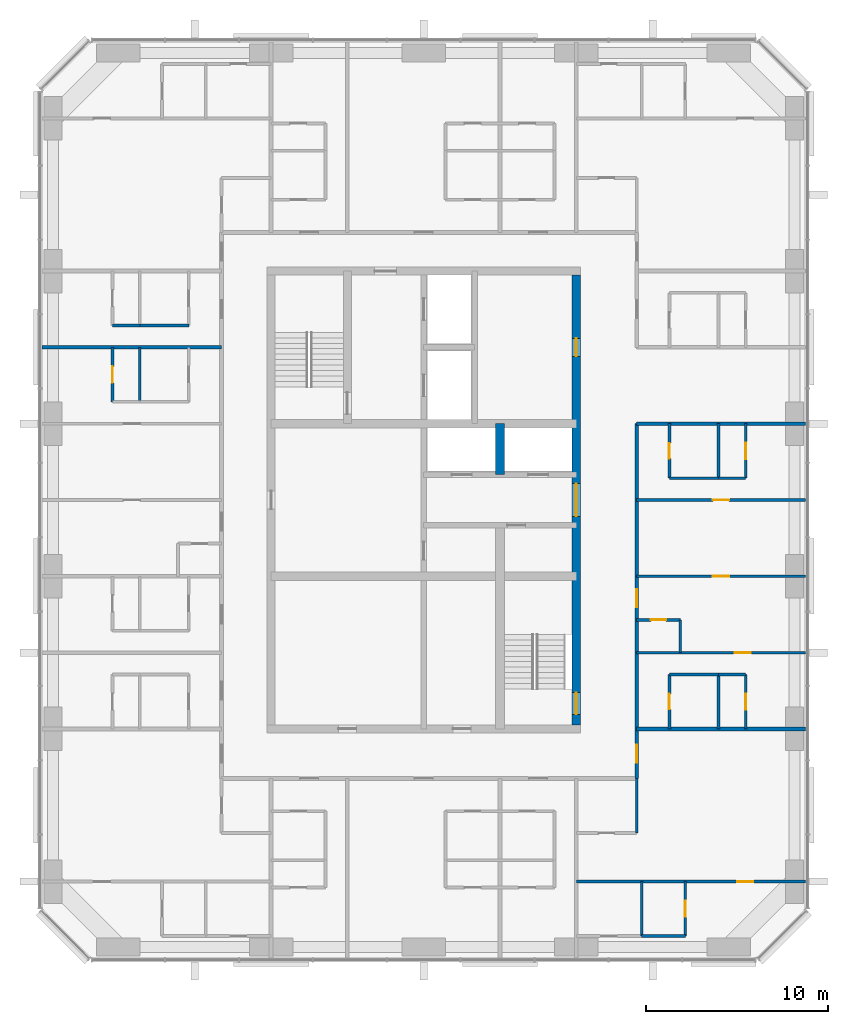
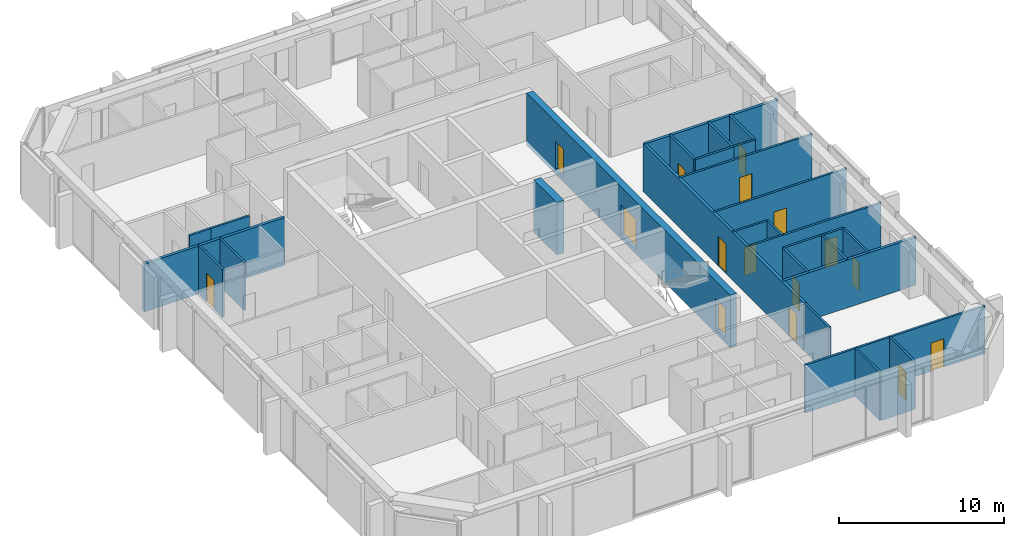
# One storey, part 9 of 12: 30 walls, 16 doors, 16 openings.
"""IFC4 building model written with IfcOpenShell, lengths in metres."""

from ifc_helpers import new_model, si_unit, direction, frame, frame_2d, origin, place, context, subcontext, project, spatial, rectangle, extrude, material, layer, layer_set, type_object, element, fill, save


model = new_model("IFC4")

# Units and contexts
model_context = context("Model", 3, precision=1e-05, world=origin(), true_north=direction((0.0, 1.0)))
body_context = subcontext(model_context, "Body", "Model", "MODEL_VIEW")
ifc_project = project(units=[si_unit("LENGTHUNIT", "METRE"), si_unit("AREAUNIT", "SQUARE_METRE"), si_unit("VOLUMEUNIT", "CUBIC_METRE"), si_unit("PLANEANGLEUNIT", "RADIAN"), si_unit("MASSUNIT", "GRAM", prefix="KILO")], contexts=[model_context])

# Site, building, storey
site_placement = place(None, origin())
site = spatial("IfcSite", under=ifc_project, at=site_placement, CompositionType="ELEMENT")
building_placement = place(site_placement, origin())
building = spatial("IfcBuilding", under=site, at=building_placement, Name="Dunama Terrace Hotel", CompositionType="ELEMENT")
storey_placement = place(building_placement, frame((0.0, 0.0, 268.5)))
storey = spatial("IfcBuildingStorey", under=building, at=storey_placement, Name="L69", CompositionType="ELEMENT", Elevation=268.5)

# Wall
ifc_material_1 = material(Name="Gypsum board partition", Category="masonry")
ifc_layer_1 = layer(ifc_material_1, 0.14990234375)
ifc_layer_set_1 = layer_set([ifc_layer_1], Name="Bathroom partition 150")
wall_type_1 = type_object("IfcWallType", Name="Bathroom partition 150", PredefinedType="PARTITIONING", material=ifc_layer_set_1)
wall_1_placement = place(storey_placement, frame((45.324951171875, 11.074951171875, 0.0), z_axis=(0.0, 0.0, 1.0), x_axis=(0.0, 1.0, 0.0)))
element("IfcWall", 1, at=wall_1_placement, inside=storey, type_object=wall_type_1, Name="Bathroom partition 150 L69", PredefinedType="PARTITIONING", context=body_context, shape_type="SweptSolid", body=[
    extrude(rectangle(XDim=3.0, YDim=0.14990234375, at=frame_2d((1.5, 0.0))), origin(), (0.0, 0.0, 1.0), 3.550048828125),
])

# Wall, opening, door
wall_2_placement = place(storey_placement, frame((47.125, 16.800048828125, 0.0), z_axis=(0.0, 0.0, 1.0), x_axis=(0.0, 1.0, 0.0)))
wall_2 = element("IfcWall", 2, at=wall_2_placement, inside=storey, type_object=wall_type_1, Name="Bathroom partition 150 L69", PredefinedType="PARTITIONING", context=body_context, shape_type="SweptSolid", body=[
    extrude(rectangle(XDim=3.0, YDim=0.14990234375, at=frame_2d((1.5, 0.0))), origin(), (0.0, 0.0, 1.0), 3.550048828125),
])
opening_1_placement = place(wall_2_placement, frame((1.074951171875, 0.0, 0.0)))
opening_1 = element("IfcOpeningElement", 3, at=opening_1_placement, cuts=wall_2, Name="Opening L68-70-019", PredefinedType="OPENING", context=body_context, shape_type="SweptSolid", body=[
    extrude(rectangle(XDim=0.85009765625, YDim=2.10009765625, at=frame_2d((0.425048828125, 1.050048828125))), frame((0.0, 0.0849609375, 0.0), z_axis=(0.0, -1.0, 0.0), x_axis=(1.0, 0.0, 0.0)), (0.0, 0.0, 1.0), 0.169921875),
])
ifc_material_2 = material(Name="Timber door with steel frame", Category="steel")
door_type_1 = type_object("IfcDoorType", Name="Bathroom door 850", OperationType="SINGLE_SWING_LEFT", PredefinedType="DOOR", material=ifc_material_2)
door_1_placement = place(opening_1_placement, frame((0.85009765625, 0.0, 0.0), z_axis=(0.0, 0.0, 1.0), x_axis=(-1.0, 0.0, 0.0)))
door_1 = element("IfcDoor", 4, at=door_1_placement, inside=storey, type_object=door_type_1, Name="Door to en-suite bathroom L68-70-019, type D2", OperationType="SINGLE_SWING_RIGHT", OverallHeight=2.10009765625, OverallWidth=0.85009765625, PredefinedType="DOOR", context=body_context, shape_type="SweptSolid", body=[
    extrude(rectangle(XDim=0.85009765625, YDim=2.10009765625, at=frame_2d((0.425048828125, 1.050048828125))), frame((0.0, 0.025146484375, 0.0), z_axis=(0.0, -1.0, 0.0), x_axis=(1.0, 0.0, 0.0)), (0.0, 0.0, 1.0), 0.050048828125),
])
fill(opening_1, door_1)

wall_3_placement = place(storey_placement, frame((47.125, 30.60009765625, 0.0), z_axis=(0.0, 0.0, 1.0), x_axis=(0.0, 1.0, 0.0)))
wall_3 = element("IfcWall", 5, at=wall_3_placement, inside=storey, type_object=wall_type_1, Name="Bathroom partition 150 L69", PredefinedType="PARTITIONING", context=body_context, shape_type="SweptSolid", body=[
    extrude(rectangle(XDim=3.0, YDim=0.14990234375, at=frame_2d((1.5, 0.0))), origin(), (0.0, 0.0, 1.0), 3.550048828125),
])
opening_2_placement = place(wall_3_placement, frame((1.074951171875, 0.0, 0.0)))
opening_2 = element("IfcOpeningElement", 6, at=opening_2_placement, cuts=wall_3, Name="Opening L68-70-023", PredefinedType="OPENING", context=body_context, shape_type="SweptSolid", body=[
    extrude(rectangle(XDim=0.85009765625, YDim=2.10009765625, at=frame_2d((0.425048828125, 1.050048828125))), frame((0.0, 0.0849609375, 0.0), z_axis=(0.0, -1.0, 0.0), x_axis=(1.0, 0.0, 0.0)), (0.0, 0.0, 1.0), 0.169921875),
])
door_2_placement = place(opening_2_placement, frame((0.85009765625, 0.0, 0.0), z_axis=(0.0, 0.0, 1.0), x_axis=(-1.0, 0.0, 0.0)))
door_2 = element("IfcDoor", 7, at=door_2_placement, inside=storey, type_object=door_type_1, Name="Door to en-suite bathroom L68-70-023, type D2", OperationType="SINGLE_SWING_LEFT", OverallHeight=2.10009765625, OverallWidth=0.85009765625, PredefinedType="DOOR", context=body_context, shape_type="SweptSolid", body=[
    extrude(rectangle(XDim=0.85009765625, YDim=2.10009765625, at=frame_2d((0.425048828125, 1.050048828125))), frame((0.0, 0.025146484375, 0.0), z_axis=(0.0, -1.0, 0.0), x_axis=(1.0, 0.0, 0.0)), (0.0, 0.0, 1.0), 0.050048828125),
])
fill(opening_2, door_2)

# Walls
wall_4_placement = place(storey_placement, frame((47.72509765625, 21.0, 0.0), z_axis=(0.0, 0.0, 1.0), x_axis=(0.0, 1.0, 0.0)))
element("IfcWall", 8, at=wall_4_placement, inside=storey, type_object=wall_type_1, Name="Bathroom partition 150 L69", PredefinedType="PARTITIONING", context=body_context, shape_type="SweptSolid", body=[
    extrude(rectangle(XDim=1.800048828125, YDim=0.14990234375, at=frame_2d((0.89990234375, 0.0))), origin(), (0.0, 0.0, 1.0), 3.550048828125),
])
wall_5_placement = place(storey_placement, frame((47.125, 19.800048828125, 0.0), z_axis=(0.0, 0.0, 1.0), x_axis=(1.0, 0.0, 0.0)))
element("IfcWall", 9, at=wall_5_placement, inside=storey, type_object=wall_type_1, Name="Bathroom partition 150 L69", PredefinedType="PARTITIONING", context=body_context, shape_type="SweptSolid", body=[
    extrude(rectangle(XDim=2.699951171875, YDim=0.14990234375, at=frame_2d((1.35009765625, 0.0))), origin(), (0.0, 0.0, 1.0), 3.550048828125),
])

# Wall, opening, door
wall_6_placement = place(storey_placement, frame((45.324951171875, 22.800048828125, 0.0), z_axis=(0.0, 0.0, 1.0), x_axis=(1.0, 0.0, 0.0)))
wall_6 = element("IfcWall", 10, at=wall_6_placement, inside=storey, type_object=wall_type_1, Name="Bathroom partition 150 L69", PredefinedType="PARTITIONING", context=body_context, shape_type="SweptSolid", body=[
    extrude(rectangle(XDim=2.400146484375, YDim=0.14990234375, at=frame_2d((1.2001953125, 0.0))), origin(), (0.0, 0.0, 1.0), 3.550048828125),
])
opening_3_placement = place(wall_6_placement, frame((0.77490234375, 0.0, 0.0)))
opening_3 = element("IfcOpeningElement", 11, at=opening_3_placement, cuts=wall_6, Name="Opening L68-70-017", PredefinedType="OPENING", context=body_context, shape_type="SweptSolid", body=[
    extrude(rectangle(XDim=0.85009765625, YDim=2.10009765625, at=frame_2d((0.425048828125, 1.050048828125))), frame((0.0, 0.0849609375, 0.0), z_axis=(0.0, -1.0, 0.0), x_axis=(1.0, 0.0, 0.0)), (0.0, 0.0, 1.0), 0.169921875),
])
door_3_placement = place(opening_3_placement, frame((0.85009765625, 0.0, 0.0), z_axis=(0.0, 0.0, 1.0), x_axis=(-1.0, 0.0, 0.0)))
door_3 = element("IfcDoor", 12, at=door_3_placement, inside=storey, type_object=door_type_1, Name="Door to powder room L68-70-017, type D2", OperationType="SINGLE_SWING_RIGHT", OverallHeight=2.10009765625, OverallWidth=0.85009765625, PredefinedType="DOOR", context=body_context, shape_type="SweptSolid", body=[
    extrude(rectangle(XDim=0.85009765625, YDim=2.10009765625, at=frame_2d((0.425048828125, 1.050048828125))), frame((0.0, 0.025146484375, 0.0), z_axis=(0.0, -1.0, 0.0), x_axis=(1.0, 0.0, 0.0)), (0.0, 0.0, 1.0), 0.050048828125),
])
fill(opening_3, door_3)

# Walls
for number, where, z_axis, x_axis, name in (
    (13, (47.125, 30.60009765625, 0.0), (0.0, 0.0, 1.0), (1.0, 0.0, 0.0), "Bathroom partition 150 L69"),
    (14, (17.97509765625, 39.0, 0.0), (0.0, 0.0, 1.0), (1.0, 0.0, 0.0), "Bathroom partition 150 L69"),
):
    element("IfcWall", number, at=place(storey_placement, frame(where, z_axis=z_axis, x_axis=x_axis)), inside=storey, type_object=wall_type_1, Name=name, PredefinedType="PARTITIONING", context=body_context, shape_type="SweptSolid", body=[
        extrude(rectangle(XDim=2.699951171875, YDim=0.14990234375, at=frame_2d((1.35009765625, 0.0))), origin(), (0.0, 0.0, 1.0), 3.550048828125),
    ])
ifc_material_3 = material(Name="Concrete C50/60", Category="concrete")
ifc_layer_2 = layer(ifc_material_3, 0.5)
ifc_layer_set_2 = layer_set([ifc_layer_2], Name="Core inner wall 500")
wall_type_2 = type_object("IfcWallType", Name="Core inner wall 500", PredefinedType="SHEAR", material=ifc_layer_set_2)
wall_7_placement = place(storey_placement, frame((37.800048828125, 30.800048828125, -0.35009765625), z_axis=(0.0, 0.0, 1.0), x_axis=(0.0, 1.0, 0.0)))
element("IfcWall", 15, at=wall_7_placement, inside=storey, type_object=wall_type_2, Name="Core inner wall 500 L69", PredefinedType="SHEAR", context=body_context, shape_type="SweptSolid", body=[
    extrude(rectangle(XDim=2.800048828125, YDim=0.5, at=frame_2d((1.39990234375, 0.0))), origin(), (0.0, 0.0, 1.0), 3.900146484375),
])

# Wall, openings, doors
ifc_material_4 = material(Name="Concrete C50/60", Category="concrete")
ifc_layer_3 = layer(ifc_material_4, 0.449951171875)
ifc_layer_set_3 = layer_set([ifc_layer_3], Name="Core wall 450")
wall_type_3 = type_object("IfcWallType", Name="Core wall 450", PredefinedType="SHEAR", material=ifc_layer_set_3)
wall_8_placement = place(storey_placement, frame((42.0, 17.02490234375, -0.35009765625), z_axis=(0.0, 0.0, 1.0), x_axis=(0.0, 1.0, 0.0)))
wall_8 = element("IfcWall", 16, at=wall_8_placement, inside=storey, type_object=wall_type_3, Name="Core wall east L69", PredefinedType="SHEAR", context=body_context, shape_type="SweptSolid", body=[
    extrude(rectangle(XDim=24.75, YDim=0.449951171875, at=frame_2d((12.375, 0.0))), origin(), (0.0, 0.0, 1.0), 3.900146484375),
])
opening_4_placement = place(wall_8_placement, frame((0.574951171875, 0.0, 0.35009765625)))
opening_4 = element("IfcOpeningElement", 17, at=opening_4_placement, cuts=wall_8, Name="Opening L68-70-002", PredefinedType="OPENING", context=body_context, shape_type="SweptSolid", body=[
    extrude(rectangle(XDim=1.199951171875, YDim=2.199951171875, at=frame_2d((0.60009765625, 1.10009765625))), frame((0.0, 0.23486328125, 0.0), z_axis=(0.0, -1.0, 0.0), x_axis=(1.0, 0.0, 0.0)), (0.0, 0.0, 1.0), 0.469970703125),
])
opening_5_placement = place(wall_8_placement, frame((11.47509765625, 0.0, 0.35009765625)))
opening_5 = element("IfcOpeningElement", 18, at=opening_5_placement, cuts=wall_8, Name="Opening L68-70-075", PredefinedType="OPENING", context=body_context, shape_type="SweptSolid", body=[
    extrude(rectangle(XDim=1.800048828125, YDim=2.199951171875, at=frame_2d((0.89990234375, 1.10009765625))), frame((0.0, 0.23486328125, 0.0), z_axis=(0.0, -1.0, 0.0), x_axis=(1.0, 0.0, 0.0)), (0.0, 0.0, 1.0), 0.469970703125),
])
opening_6_placement = place(wall_8_placement, frame((20.27490234375, 0.0, 0.35009765625)))
opening_6 = element("IfcOpeningElement", 19, at=opening_6_placement, cuts=wall_8, Name="Opening L68-70-077", PredefinedType="OPENING", context=body_context, shape_type="SweptSolid", body=[
    extrude(rectangle(XDim=1.0, YDim=2.10009765625, at=frame_2d((0.5, 1.050048828125))), frame((0.0, 0.23486328125, 0.0), z_axis=(0.0, -1.0, 0.0), x_axis=(1.0, 0.0, 0.0)), (0.0, 0.0, 1.0), 0.469970703125),
])
ifc_material_5 = material(Name="Timber door with steel frame", Category="steel")
door_type_2 = type_object("IfcDoorType", Name="Lift lobby double door 1800", OperationType="DOUBLE_DOOR_DOUBLE_SWING", PredefinedType="DOOR", material=ifc_material_5)
door_4_placement = place(opening_5_placement, origin())
door_4 = element("IfcDoor", 20, at=door_4_placement, inside=storey, type_object=door_type_2, Name="Door to lift lobby L68-70-075, type D3", OperationType="DOUBLE_DOOR_DOUBLE_SWING", OverallHeight=2.199951171875, OverallWidth=1.800048828125, PredefinedType="DOOR", context=body_context, shape_type="SweptSolid", body=[
    extrude(rectangle(XDim=1.800048828125, YDim=2.199951171875, at=frame_2d((0.89990234375, 1.10009765625))), frame((0.0, 0.02490234375, 0.0), z_axis=(0.0, -1.0, 0.0), x_axis=(1.0, 0.0, 0.0)), (0.0, 0.0, 1.0), 0.050048828125),
])
fill(opening_5, door_4)
ifc_material_6 = material(Name="Timber door with steel frame", Category="steel")
door_type_3 = type_object("IfcDoorType", Name="Service door 1000", OperationType="SINGLE_SWING_LEFT", PredefinedType="DOOR", material=ifc_material_6)
door_5_placement = place(opening_6_placement, origin())
door_5 = element("IfcDoor", 21, at=door_5_placement, inside=storey, type_object=door_type_3, Name="Door to housekeeping store L68-70-077, type D7", OperationType="SINGLE_SWING_RIGHT", OverallHeight=2.10009765625, OverallWidth=1.0, PredefinedType="DOOR", context=body_context, shape_type="SweptSolid", body=[
    extrude(rectangle(XDim=1.0, YDim=2.10009765625, at=frame_2d((0.5, 1.050048828125))), frame((0.0, 0.02490234375, 0.0), z_axis=(0.0, -1.0, 0.0), x_axis=(1.0, 0.0, 0.0)), (0.0, 0.0, 1.0), 0.050048828125),
])
fill(opening_6, door_5)
ifc_material_7 = material(Name="Timber door with steel frame", Category="steel")
door_type_4 = type_object("IfcDoorType", Name="Stair door 1200", OperationType="SINGLE_SWING_LEFT", PredefinedType="DOOR", material=ifc_material_7)
door_6_placement = place(opening_4_placement, origin())
door_6 = element("IfcDoor", 22, at=door_6_placement, inside=storey, type_object=door_type_4, Name="Stair door ST2 L68-70-002, type D5", OperationType="SINGLE_SWING_LEFT", OverallHeight=2.199951171875, OverallWidth=1.199951171875, PredefinedType="DOOR", context=body_context, shape_type="SweptSolid", body=[
    extrude(rectangle(XDim=1.199951171875, YDim=2.199951171875, at=frame_2d((0.60009765625, 1.10009765625))), frame((0.0, 0.02490234375, 0.0), z_axis=(0.0, -1.0, 0.0), x_axis=(1.0, 0.0, 0.0)), (0.0, 0.0, 1.0), 0.050048828125),
])
fill(opening_4, door_6)

ifc_material_8 = material(Name="Concrete blockwork", Category="masonry")
ifc_layer_4 = layer(ifc_material_8, 0.199951171875)
ifc_layer_set_4 = layer_set([ifc_layer_4], Name="Corridor partition 200")
wall_type_4 = type_object("IfcWallType", Name="Corridor partition 200", PredefinedType="PARTITIONING", material=ifc_layer_set_4)
wall_9_placement = place(storey_placement, frame((45.324951171875, 33.60009765625, 0.0), z_axis=(0.0, 0.0, 1.0), x_axis=(0.0, -1.0, 0.0)))
wall_9 = element("IfcWall", 23, at=wall_9_placement, inside=storey, type_object=wall_type_4, Name="Corridor partition 200 L69", PredefinedType="PARTITIONING", context=body_context, shape_type="SweptSolid", body=[
    extrude(rectangle(XDim=19.525146484375, YDim=0.199951171875, at=frame_2d((9.7626953125, 0.0))), origin(), (0.0, 0.0, 1.0), 3.550048828125),
])
opening_7_placement = place(wall_9_placement, frame((9.10009765625, 0.0, 0.0)))
opening_7 = element("IfcOpeningElement", 24, at=opening_7_placement, cuts=wall_9, Name="Opening L68-70-016", PredefinedType="OPENING", context=body_context, shape_type="SweptSolid", body=[
    extrude(rectangle(XDim=1.0, YDim=2.199951171875, at=frame_2d((0.5, 1.10009765625))), frame((0.0, 0.10986328125, 0.0), z_axis=(0.0, -1.0, 0.0), x_axis=(1.0, 0.0, 0.0)), (0.0, 0.0, 1.0), 0.219970703125),
])
opening_8_placement = place(wall_9_placement, frame((17.662109375, 0.0, 0.0)))
opening_8 = element("IfcOpeningElement", 25, at=opening_8_placement, cuts=wall_9, Name="Opening L68-70-057", PredefinedType="OPENING", context=body_context, shape_type="SweptSolid", body=[
    extrude(rectangle(XDim=1.0, YDim=2.199951171875, at=frame_2d((0.5, 1.10009765625))), frame((0.0, 0.10986328125, 0.0), z_axis=(0.0, -1.0, 0.0), x_axis=(1.0, 0.0, 0.0)), (0.0, 0.0, 1.0), 0.219970703125),
])
ifc_material_9 = material(Name="Timber door with steel frame", Category="steel")
door_type_5 = type_object("IfcDoorType", Name="Guest room door 1000", OperationType="SINGLE_SWING_LEFT", PredefinedType="DOOR", material=ifc_material_9)
door_7_placement = place(opening_7_placement, origin())
door_7 = element("IfcDoor", 26, at=door_7_placement, inside=storey, type_object=door_type_5, Name="Door to grand suite living room L68-70-016, type D1", OperationType="SINGLE_SWING_RIGHT", OverallHeight=2.199951171875, OverallWidth=1.0, PredefinedType="DOOR", context=body_context, shape_type="SweptSolid", body=[
    extrude(rectangle(XDim=1.0, YDim=2.199951171875, at=frame_2d((0.5, 1.10009765625))), frame((0.0, 0.02490234375, 0.0), z_axis=(0.0, -1.0, 0.0), x_axis=(1.0, 0.0, 0.0)), (0.0, 0.0, 1.0), 0.050048828125),
])
fill(opening_7, door_7)
door_8_placement = place(opening_8_placement, origin())
door_8 = element("IfcDoor", 27, at=door_8_placement, inside=storey, type_object=door_type_5, Name="Door to grand corner suite living room L68-70-057, type D1", OperationType="SINGLE_SWING_LEFT", OverallHeight=2.199951171875, OverallWidth=1.0, PredefinedType="DOOR", context=body_context, shape_type="SweptSolid", body=[
    extrude(rectangle(XDim=1.0, YDim=2.199951171875, at=frame_2d((0.5, 1.10009765625))), frame((0.0, 0.02490234375, 0.0), z_axis=(0.0, -1.0, 0.0), x_axis=(1.0, 0.0, 0.0)), (0.0, 0.0, 1.0), 0.050048828125),
])
fill(opening_8, door_8)

# Walls
wall_10_placement = place(storey_placement, frame((54.617919921875, 33.60009765625, 0.0), z_axis=(0.0, 0.0, 1.0), x_axis=(-1.0, 0.0, 0.0)))
element("IfcWall", 28, at=wall_10_placement, inside=storey, type_object=wall_type_4, Name="Corridor partition 200 L69", PredefinedType="PARTITIONING", context=body_context, shape_type="SweptSolid", body=[
    extrude(rectangle(XDim=9.29296875, YDim=0.199951171875, at=frame_2d((4.646484375, 0.0))), origin(), (0.0, 0.0, 1.0), 3.550048828125),
])
ifc_material_10 = material(Name="Concrete blockwork", Category="masonry")
ifc_layer_5 = layer(ifc_material_10, 0.199951171875)
ifc_layer_set_5 = layer_set([ifc_layer_5], Name="Party wall 200")
wall_type_5 = type_object("IfcWallType", Name="Party wall 200", PredefinedType="PARTITIONING", material=ifc_layer_set_5)
wall_11_placement = place(storey_placement, frame((45.324951171875, 16.800048828125, 0.0), z_axis=(0.0, 0.0, 1.0), x_axis=(1.0, 0.0, 0.0)))
element("IfcWall", 29, at=wall_11_placement, inside=storey, type_object=wall_type_5, Name="Party wall 200 L69", PredefinedType="PARTITIONING", context=body_context, shape_type="SweptSolid", body=[
    extrude(rectangle(XDim=9.29296875, YDim=0.199951171875, at=frame_2d((4.646484375, 0.0))), origin(), (0.0, 0.0, 1.0), 3.550048828125),
])
wall_12_placement = place(storey_placement, frame((12.58203125, 37.800048828125, 0.0), z_axis=(0.0, 0.0, 1.0), x_axis=(1.0, 0.0, 0.0)))
element("IfcWall", 30, at=wall_12_placement, inside=storey, type_object=wall_type_5, Name="Party wall 200 L69", PredefinedType="PARTITIONING", context=body_context, shape_type="SweptSolid", body=[
    extrude(rectangle(XDim=9.89306640625, YDim=0.199951171875, at=frame_2d((4.946533203125, 0.0))), origin(), (0.0, 0.0, 1.0), 3.550048828125),
])

# Wall, opening, door
ifc_material_11 = material(Name="Gypsum board partition", Category="masonry")
ifc_layer_6 = layer(ifc_material_11, 0.14990234375)
ifc_layer_set_6 = layer_set([ifc_layer_6], Name="Room partition 150")
wall_type_6 = type_object("IfcWallType", Name="Room partition 150", PredefinedType="PARTITIONING", material=ifc_layer_set_6)
wall_13_placement = place(storey_placement, frame((16.47509765625, 34.800048828125, 0.0), z_axis=(0.0, 0.0, 1.0), x_axis=(0.0, 1.0, 0.0)))
wall_13 = element("IfcWall", 31, at=wall_13_placement, inside=storey, type_object=wall_type_6, Name="Room partition 150 L69", PredefinedType="PARTITIONING", context=body_context, shape_type="SweptSolid", body=[
    extrude(rectangle(XDim=3.0, YDim=0.14990234375, at=frame_2d((1.5, 0.0))), origin(), (0.0, 0.0, 1.0), 3.550048828125),
])
opening_9_placement = place(wall_13_placement, frame((1.050048828125, 0.0, 0.0)))
opening_9 = element("IfcOpeningElement", 32, at=opening_9_placement, cuts=wall_13, Name="Opening L68-70-048", PredefinedType="OPENING", context=body_context, shape_type="SweptSolid", body=[
    extrude(rectangle(XDim=0.89990234375, YDim=2.10009765625, at=frame_2d((0.449951171875, 1.050048828125))), frame((0.0, 0.0849609375, 0.0), z_axis=(0.0, -1.0, 0.0), x_axis=(1.0, 0.0, 0.0)), (0.0, 0.0, 1.0), 0.169921875),
])
ifc_material_12 = material(Name="Timber door with steel frame", Category="steel")
door_type_6 = type_object("IfcDoorType", Name="Suite internal door 900", OperationType="SINGLE_SWING_LEFT", PredefinedType="DOOR", material=ifc_material_12)
door_9_placement = place(opening_9_placement, frame((0.89990234375, 0.0, 0.0), z_axis=(0.0, 0.0, 1.0), x_axis=(-1.0, 0.0, 0.0)))
door_9 = element("IfcDoor", 33, at=door_9_placement, inside=storey, type_object=door_type_6, Name="Door to walk-in wardrobe L68-70-048, type D16", OperationType="SINGLE_SWING_RIGHT", OverallHeight=2.10009765625, OverallWidth=0.89990234375, PredefinedType="DOOR", context=body_context, shape_type="SweptSolid", body=[
    extrude(rectangle(XDim=0.89990234375, YDim=2.10009765625, at=frame_2d((0.449951171875, 1.050048828125))), frame((0.0, 0.025146484375, 0.0), z_axis=(0.0, -1.0, 0.0), x_axis=(1.0, 0.0, 0.0)), (0.0, 0.0, 1.0), 0.050048828125),
])
fill(opening_9, door_9)

# Walls
for number, where, z_axis, x_axis, name in (
    (34, (17.97509765625, 34.800048828125, 0.0), (0.0, 0.0, 1.0), (0.0, 1.0, 0.0), "Room partition 150 L69"),
    (35, (45.60009765625, 5.39990234375, 0.0), (0.0, 0.0, 1.0), (0.0, 1.0, 0.0), "Room partition 150 L69"),
):
    element("IfcWall", number, at=place(storey_placement, frame(where, z_axis=z_axis, x_axis=x_axis)), inside=storey, type_object=wall_type_6, Name=name, PredefinedType="PARTITIONING", context=body_context, shape_type="SweptSolid", body=[
        extrude(rectangle(XDim=3.0, YDim=0.14990234375, at=frame_2d((1.5, 0.0))), origin(), (0.0, 0.0, 1.0), 3.550048828125),
    ])

# Wall, opening, door
wall_14_placement = place(storey_placement, frame((48.0, 5.39990234375, 0.0), z_axis=(0.0, 0.0, 1.0), x_axis=(0.0, 1.0, 0.0)))
wall_14 = element("IfcWall", 36, at=wall_14_placement, inside=storey, type_object=wall_type_6, Name="Room partition 150 L69", PredefinedType="PARTITIONING", context=body_context, shape_type="SweptSolid", body=[
    extrude(rectangle(XDim=3.0, YDim=0.14990234375, at=frame_2d((1.5, 0.0))), origin(), (0.0, 0.0, 1.0), 3.550048828125),
])
opening_10_placement = place(wall_14_placement, frame((1.050048828125, 0.0, 0.0)))
opening_10 = element("IfcOpeningElement", 37, at=opening_10_placement, cuts=wall_14, Name="Opening L68-70-061", PredefinedType="OPENING", context=body_context, shape_type="SweptSolid", body=[
    extrude(rectangle(XDim=0.89990234375, YDim=2.10009765625, at=frame_2d((0.449951171875, 1.050048828125))), frame((0.0, 0.0849609375, 0.0), z_axis=(0.0, -1.0, 0.0), x_axis=(1.0, 0.0, 0.0)), (0.0, 0.0, 1.0), 0.169921875),
])
door_10_placement = place(opening_10_placement, origin())
door_10 = element("IfcDoor", 38, at=door_10_placement, inside=storey, type_object=door_type_6, Name="Door to dressing room L68-70-061, type D16", OperationType="SINGLE_SWING_LEFT", OverallHeight=2.10009765625, OverallWidth=0.89990234375, PredefinedType="DOOR", context=body_context, shape_type="SweptSolid", body=[
    extrude(rectangle(XDim=0.89990234375, YDim=2.10009765625, at=frame_2d((0.449951171875, 1.050048828125))), frame((0.0, 0.02490234375, 0.0), z_axis=(0.0, -1.0, 0.0), x_axis=(1.0, 0.0, 0.0)), (0.0, 0.0, 1.0), 0.050048828125),
])
fill(opening_10, door_10)

# Walls
for number, where, z_axis, x_axis, name in (
    (39, (49.824951171875, 16.800048828125, 0.0), (0.0, 0.0, 1.0), (0.0, 1.0, 0.0), "Room partition 150 L69"),
    (40, (49.824951171875, 30.60009765625, 0.0), (0.0, 0.0, 1.0), (0.0, 1.0, 0.0), "Room partition 150 L69"),
):
    element("IfcWall", number, at=place(storey_placement, frame(where, z_axis=z_axis, x_axis=x_axis)), inside=storey, type_object=wall_type_6, Name=name, PredefinedType="PARTITIONING", context=body_context, shape_type="SweptSolid", body=[
        extrude(rectangle(XDim=3.0, YDim=0.14990234375, at=frame_2d((1.5, 0.0))), origin(), (0.0, 0.0, 1.0), 3.550048828125),
    ])

# Wall, opening, door
wall_15_placement = place(storey_placement, frame((51.324951171875, 16.800048828125, 0.0), z_axis=(0.0, 0.0, 1.0), x_axis=(0.0, 1.0, 0.0)))
wall_15 = element("IfcWall", 41, at=wall_15_placement, inside=storey, type_object=wall_type_6, Name="Room partition 150 L69", PredefinedType="PARTITIONING", context=body_context, shape_type="SweptSolid", body=[
    extrude(rectangle(XDim=3.0, YDim=0.14990234375, at=frame_2d((1.5, 0.0))), origin(), (0.0, 0.0, 1.0), 3.550048828125),
])
opening_11_placement = place(wall_15_placement, frame((1.050048828125, 0.0, 0.0)))
opening_11 = element("IfcOpeningElement", 42, at=opening_11_placement, cuts=wall_15, Name="Opening L68-70-020", PredefinedType="OPENING", context=body_context, shape_type="SweptSolid", body=[
    extrude(rectangle(XDim=0.89990234375, YDim=2.10009765625, at=frame_2d((0.449951171875, 1.050048828125))), frame((0.0, 0.0849609375, 0.0), z_axis=(0.0, -1.0, 0.0), x_axis=(1.0, 0.0, 0.0)), (0.0, 0.0, 1.0), 0.169921875),
])
door_11_placement = place(opening_11_placement, origin())
door_11 = element("IfcDoor", 43, at=door_11_placement, inside=storey, type_object=door_type_6, Name="Door to walk-in wardrobe L68-70-020, type D16", OperationType="SINGLE_SWING_LEFT", OverallHeight=2.10009765625, OverallWidth=0.89990234375, PredefinedType="DOOR", context=body_context, shape_type="SweptSolid", body=[
    extrude(rectangle(XDim=0.89990234375, YDim=2.10009765625, at=frame_2d((0.449951171875, 1.050048828125))), frame((0.0, 0.02490234375, 0.0), z_axis=(0.0, -1.0, 0.0), x_axis=(1.0, 0.0, 0.0)), (0.0, 0.0, 1.0), 0.050048828125),
])
fill(opening_11, door_11)

wall_16_placement = place(storey_placement, frame((51.324951171875, 30.60009765625, 0.0), z_axis=(0.0, 0.0, 1.0), x_axis=(0.0, 1.0, 0.0)))
wall_16 = element("IfcWall", 44, at=wall_16_placement, inside=storey, type_object=wall_type_6, Name="Room partition 150 L69", PredefinedType="PARTITIONING", context=body_context, shape_type="SweptSolid", body=[
    extrude(rectangle(XDim=3.0, YDim=0.14990234375, at=frame_2d((1.5, 0.0))), origin(), (0.0, 0.0, 1.0), 3.550048828125),
])
opening_12_placement = place(wall_16_placement, frame((1.050048828125, 0.0, 0.0)))
opening_12 = element("IfcOpeningElement", 45, at=opening_12_placement, cuts=wall_16, Name="Opening L68-70-024", PredefinedType="OPENING", context=body_context, shape_type="SweptSolid", body=[
    extrude(rectangle(XDim=0.89990234375, YDim=2.10009765625, at=frame_2d((0.449951171875, 1.050048828125))), frame((0.0, 0.0849609375, 0.0), z_axis=(0.0, -1.0, 0.0), x_axis=(1.0, 0.0, 0.0)), (0.0, 0.0, 1.0), 0.169921875),
])
door_12_placement = place(opening_12_placement, origin())
door_12 = element("IfcDoor", 46, at=door_12_placement, inside=storey, type_object=door_type_6, Name="Door to walk-in wardrobe L68-70-024, type D16", OperationType="SINGLE_SWING_LEFT", OverallHeight=2.10009765625, OverallWidth=0.89990234375, PredefinedType="DOOR", context=body_context, shape_type="SweptSolid", body=[
    extrude(rectangle(XDim=0.89990234375, YDim=2.10009765625, at=frame_2d((0.449951171875, 1.050048828125))), frame((0.0, 0.02490234375, 0.0), z_axis=(0.0, -1.0, 0.0), x_axis=(1.0, 0.0, 0.0)), (0.0, 0.0, 1.0), 0.050048828125),
])
fill(opening_12, door_12)

# Wall
wall_17_placement = place(storey_placement, frame((45.60009765625, 5.39990234375, 0.0), z_axis=(0.0, 0.0, 1.0), x_axis=(1.0, 0.0, 0.0)))
element("IfcWall", 47, at=wall_17_placement, inside=storey, type_object=wall_type_6, Name="Room partition 150 L69", PredefinedType="PARTITIONING", context=body_context, shape_type="SweptSolid", body=[
    extrude(rectangle(XDim=2.39990234375, YDim=0.14990234375, at=frame_2d((1.199951171875, 0.0))), origin(), (0.0, 0.0, 1.0), 3.550048828125),
])

# Wall, opening, door
wall_18_placement = place(storey_placement, frame((42.0, 8.39990234375, 0.0), z_axis=(0.0, 0.0, 1.0), x_axis=(1.0, 0.0, 0.0)))
wall_18 = element("IfcWall", 48, at=wall_18_placement, inside=storey, type_object=wall_type_6, Name="Room partition 150 L69", PredefinedType="PARTITIONING", context=body_context, shape_type="SweptSolid", body=[
    extrude(rectangle(XDim=12.617919921875, YDim=0.14990234375, at=frame_2d((6.30908203125, 0.0))), origin(), (0.0, 0.0, 1.0), 3.550048828125),
])
opening_13_placement = place(wall_18_placement, frame((8.85009765625, 0.0, 0.0)))
opening_13 = element("IfcOpeningElement", 49, at=opening_13_placement, cuts=wall_18, Name="Opening L68-70-059", PredefinedType="OPENING", context=body_context, shape_type="SweptSolid", body=[
    extrude(rectangle(XDim=0.89990234375, YDim=2.10009765625, at=frame_2d((0.449951171875, 1.050048828125))), frame((0.0, 0.0849609375, 0.0), z_axis=(0.0, -1.0, 0.0), x_axis=(1.0, 0.0, 0.0)), (0.0, 0.0, 1.0), 0.169921875),
])
door_13_placement = place(opening_13_placement, frame((0.89990234375, 0.0, 0.0), z_axis=(0.0, 0.0, 1.0), x_axis=(-1.0, 0.0, 0.0)))
door_13 = element("IfcDoor", 50, at=door_13_placement, inside=storey, type_object=door_type_6, Name="Door to grand corner suite bedroom L68-70-059, type D16", OperationType="SINGLE_SWING_LEFT", OverallHeight=2.10009765625, OverallWidth=0.89990234375, PredefinedType="DOOR", context=body_context, shape_type="SweptSolid", body=[
    extrude(rectangle(XDim=0.89990234375, YDim=2.10009765625, at=frame_2d((0.449951171875, 1.050048828125))), frame((0.0, 0.025146484375, 0.0), z_axis=(0.0, -1.0, 0.0), x_axis=(1.0, 0.0, 0.0)), (0.0, 0.0, 1.0), 0.050048828125),
])
fill(opening_13, door_13)

# Wall
wall_19_placement = place(storey_placement, frame((49.824951171875, 19.800048828125, 0.0), z_axis=(0.0, 0.0, 1.0), x_axis=(1.0, 0.0, 0.0)))
element("IfcWall", 51, at=wall_19_placement, inside=storey, type_object=wall_type_6, Name="Room partition 150 L69", PredefinedType="PARTITIONING", context=body_context, shape_type="SweptSolid", body=[
    extrude(rectangle(XDim=1.5, YDim=0.14990234375, at=frame_2d((0.75, 0.0))), origin(), (0.0, 0.0, 1.0), 3.550048828125),
])

# Wall, opening, door
wall_20_placement = place(storey_placement, frame((45.324951171875, 21.0, 0.0), z_axis=(0.0, 0.0, 1.0), x_axis=(1.0, 0.0, 0.0)))
wall_20 = element("IfcWall", 52, at=wall_20_placement, inside=storey, type_object=wall_type_6, Name="Room partition 150 L69", PredefinedType="PARTITIONING", context=body_context, shape_type="SweptSolid", body=[
    extrude(rectangle(XDim=9.29296875, YDim=0.14990234375, at=frame_2d((4.646484375, 0.0))), origin(), (0.0, 0.0, 1.0), 3.550048828125),
])
opening_14_placement = place(wall_20_placement, frame((5.386962890625, 0.0, 0.0)))
opening_14 = element("IfcOpeningElement", 53, at=opening_14_placement, cuts=wall_20, Name="Opening L68-70-018", PredefinedType="OPENING", context=body_context, shape_type="SweptSolid", body=[
    extrude(rectangle(XDim=0.89990234375, YDim=2.10009765625, at=frame_2d((0.449951171875, 1.050048828125))), frame((0.0, 0.0849609375, 0.0), z_axis=(0.0, -1.0, 0.0), x_axis=(1.0, 0.0, 0.0)), (0.0, 0.0, 1.0), 0.169921875),
])
door_14_placement = place(opening_14_placement, frame((0.89990234375, 0.0, 0.0), z_axis=(0.0, 0.0, 1.0), x_axis=(-1.0, 0.0, 0.0)))
door_14 = element("IfcDoor", 54, at=door_14_placement, inside=storey, type_object=door_type_6, Name="Door to grand suite bedroom L68-70-018, type D16", OperationType="SINGLE_SWING_RIGHT", OverallHeight=2.10009765625, OverallWidth=0.89990234375, PredefinedType="DOOR", context=body_context, shape_type="SweptSolid", body=[
    extrude(rectangle(XDim=0.89990234375, YDim=2.10009765625, at=frame_2d((0.449951171875, 1.050048828125))), frame((0.0, 0.025146484375, 0.0), z_axis=(0.0, -1.0, 0.0), x_axis=(1.0, 0.0, 0.0)), (0.0, 0.0, 1.0), 0.050048828125),
])
fill(opening_14, door_14)

wall_21_placement = place(storey_placement, frame((45.324951171875, 25.199951171875, 0.0), z_axis=(0.0, 0.0, 1.0), x_axis=(1.0, 0.0, 0.0)))
wall_21 = element("IfcWall", 55, at=wall_21_placement, inside=storey, type_object=wall_type_6, Name="Room partition 150 L69", PredefinedType="PARTITIONING", context=body_context, shape_type="SweptSolid", body=[
    extrude(rectangle(XDim=9.29296875, YDim=0.14990234375, at=frame_2d((4.646484375, 0.0))), origin(), (0.0, 0.0, 1.0), 3.550048828125),
])
opening_15_placement = place(wall_21_placement, frame((4.18798828125, 0.0, 0.0)))
opening_15 = element("IfcOpeningElement", 56, at=opening_15_placement, cuts=wall_21, Name="Opening L68-70-021", PredefinedType="OPENING", context=body_context, shape_type="SweptSolid", body=[
    extrude(rectangle(XDim=0.89990234375, YDim=2.10009765625, at=frame_2d((0.449951171875, 1.050048828125))), frame((0.0, 0.0849609375, 0.0), z_axis=(0.0, -1.0, 0.0), x_axis=(1.0, 0.0, 0.0)), (0.0, 0.0, 1.0), 0.169921875),
])
door_15_placement = place(opening_15_placement, frame((0.89990234375, 0.0, 0.0), z_axis=(0.0, 0.0, 1.0), x_axis=(-1.0, 0.0, 0.0)))
door_15 = element("IfcDoor", 57, at=door_15_placement, inside=storey, type_object=door_type_6, Name="Door to grand suite study L68-70-021, type D16", OperationType="SINGLE_SWING_RIGHT", OverallHeight=2.10009765625, OverallWidth=0.89990234375, PredefinedType="DOOR", context=body_context, shape_type="SweptSolid", body=[
    extrude(rectangle(XDim=0.89990234375, YDim=2.10009765625, at=frame_2d((0.449951171875, 1.050048828125))), frame((0.0, 0.025146484375, 0.0), z_axis=(0.0, -1.0, 0.0), x_axis=(1.0, 0.0, 0.0)), (0.0, 0.0, 1.0), 0.050048828125),
])
fill(opening_15, door_15)

wall_22_placement = place(storey_placement, frame((45.324951171875, 29.39990234375, 0.0), z_axis=(0.0, 0.0, 1.0), x_axis=(1.0, 0.0, 0.0)))
wall_22 = element("IfcWall", 58, at=wall_22_placement, inside=storey, type_object=wall_type_6, Name="Room partition 150 L69", PredefinedType="PARTITIONING", context=body_context, shape_type="SweptSolid", body=[
    extrude(rectangle(XDim=9.29296875, YDim=0.14990234375, at=frame_2d((4.646484375, 0.0))), origin(), (0.0, 0.0, 1.0), 3.550048828125),
])
opening_16_placement = place(wall_22_placement, frame((4.18798828125, 0.0, 0.0)))
opening_16 = element("IfcOpeningElement", 59, at=opening_16_placement, cuts=wall_22, Name="Opening L68-70-022", PredefinedType="OPENING", context=body_context, shape_type="SweptSolid", body=[
    extrude(rectangle(XDim=0.89990234375, YDim=2.10009765625, at=frame_2d((0.449951171875, 1.050048828125))), frame((0.0, 0.0849609375, 0.0), z_axis=(0.0, -1.0, 0.0), x_axis=(1.0, 0.0, 0.0)), (0.0, 0.0, 1.0), 0.169921875),
])
door_16_placement = place(opening_16_placement, origin())
door_16 = element("IfcDoor", 60, at=door_16_placement, inside=storey, type_object=door_type_6, Name="Door to grand suite second bedroom L68-70-022, type D16", OperationType="SINGLE_SWING_LEFT", OverallHeight=2.10009765625, OverallWidth=0.89990234375, PredefinedType="DOOR", context=body_context, shape_type="SweptSolid", body=[
    extrude(rectangle(XDim=0.89990234375, YDim=2.10009765625, at=frame_2d((0.449951171875, 1.050048828125))), frame((0.0, 0.02490234375, 0.0), z_axis=(0.0, -1.0, 0.0), x_axis=(1.0, 0.0, 0.0)), (0.0, 0.0, 1.0), 0.050048828125),
])
fill(opening_16, door_16)

# Walls
for number, where, z_axis, x_axis, name in (
    (61, (49.824951171875, 30.60009765625, 0.0), (0.0, 0.0, 1.0), (1.0, 0.0, 0.0), "Room partition 150 L69"),
    (62, (16.47509765625, 39.0, 0.0), (0.0, 0.0, 1.0), (1.0, 0.0, 0.0), "Room partition 150 L69"),
):
    element("IfcWall", number, at=place(storey_placement, frame(where, z_axis=z_axis, x_axis=x_axis)), inside=storey, type_object=wall_type_6, Name=name, PredefinedType="PARTITIONING", context=body_context, shape_type="SweptSolid", body=[
        extrude(rectangle(XDim=1.5, YDim=0.14990234375, at=frame_2d((0.75, 0.0))), origin(), (0.0, 0.0, 1.0), 3.550048828125),
    ])

save(model, "model.ifc")
